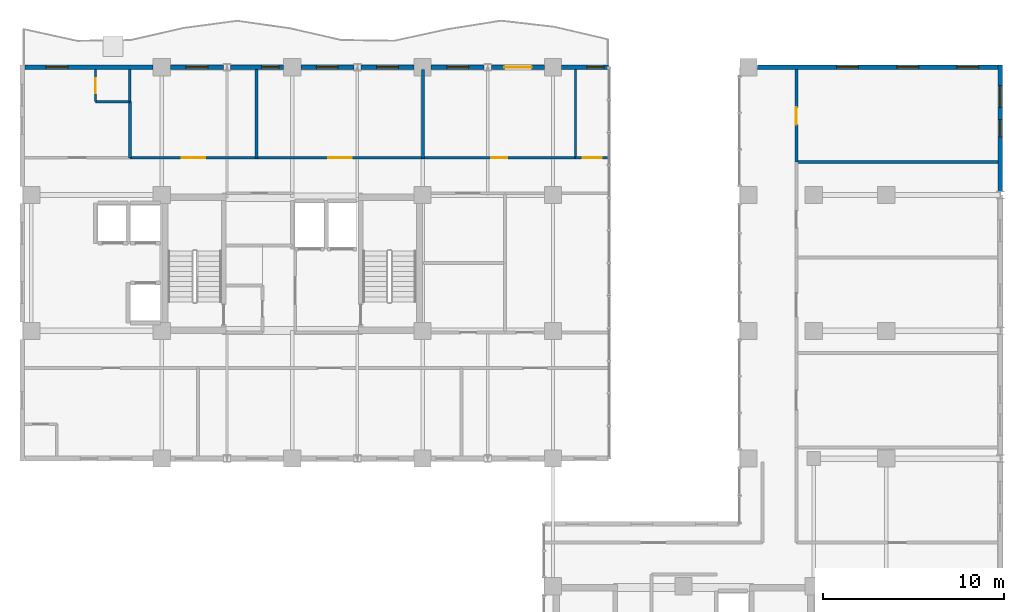
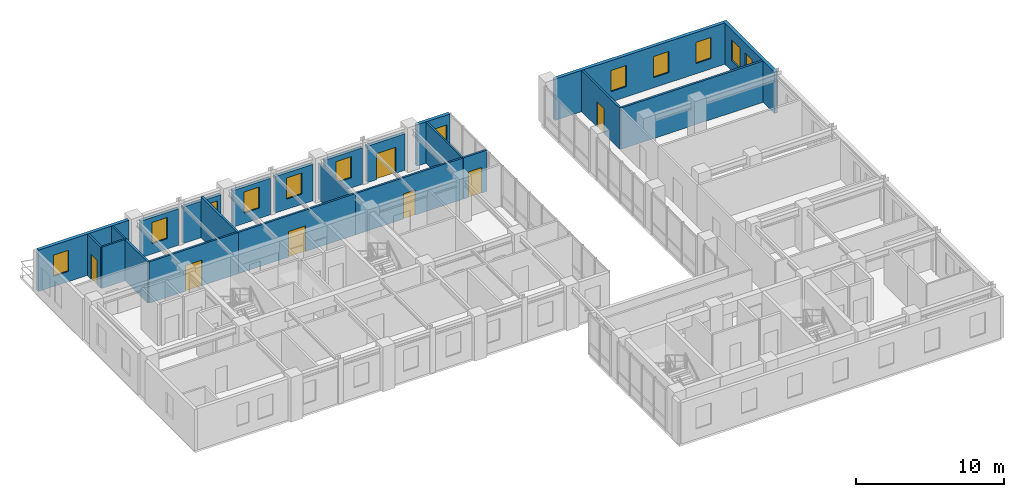
# One storey, part 20 of 24: 23 walls, 12 windows, 7 doors, 19 openings.
"""IFC4 building model written with IfcOpenShell, lengths in metres."""

import ifcopenshell
import ifcopenshell.guid

model = None  # the IFC model being written
_history = None  # IfcOwnerHistory: only IFC2X3 demands one
_inside = {}  # id of a spatial element -> (the spatial element, [elements in it])
_under = {}  # id of a project, library or spatial element -> (it, [spatial elements below it])
_declared = {}  # id of a project -> (the project, [libraries it declares])
_typed = {}  # id of a type object -> (the type object, [elements of that type])
_made_of = {}  # id of a material, layer set ... -> (it, [elements and type objects made of it])


def new_model(schema):
    """Start an empty IFC model of exactly this schema.

    Asked for "IFC4X3", IfcOpenShell would pick the latest addendum, in which some entities
    have other attributes; the version numbers below select the first issue.
    IFC2X3 requires an IfcOwnerHistory on every rooted entity: one is made here for all.
    """
    global model, _history
    if schema == "IFC4X3":
        model = ifcopenshell.file(schema_version=(4, 3, 0, 0))
    else:
        model = ifcopenshell.file(schema=schema)
    _inside.clear()
    _under.clear()
    _declared.clear()
    _typed.clear()
    _made_of.clear()
    _history = None
    if model.schema == "IFC2X3":
        org = make("IfcOrganization", Name="unknown")
        user = make(
            "IfcPersonAndOrganization",
            ThePerson=make("IfcPerson", FamilyName="unknown"),
            TheOrganization=org,
        )
        app = make(
            "IfcApplication",
            ApplicationDeveloper=org,
            Version="unknown",
            ApplicationFullName="unknown",
            ApplicationIdentifier="unknown",
        )
        _history = make(
            "IfcOwnerHistory",
            OwningUser=user,
            OwningApplication=app,
            ChangeAction="ADDED",
            CreationDate=0,
        )
    return model


def make(cls, **values):
    """One entity of the class cls with the attributes given. An attribute that is None is left unset."""
    return model.create_entity(
        cls, **{name: value for name, value in values.items() if value is not None}
    )


def rooted(cls, **values):
    """An entity with a GlobalId (a new one), such as an element, a storey or a relation."""
    return make(cls, GlobalId=ifcopenshell.guid.new(), OwnerHistory=_history, **values)


def si_unit(unit_type, name, prefix=None):
    """IfcSIUnit, for example si_unit("LENGTHUNIT", "METRE", prefix="MILLI")."""
    return make("IfcSIUnit", UnitType=unit_type, Prefix=prefix, Name=name)


def assignment(units):
    """IfcUnitAssignment: the units of a project."""
    return None if units is None else make("IfcUnitAssignment", Units=units)


def point(xyz):
    """IfcCartesianPoint."""
    return None if xyz is None else make("IfcCartesianPoint", Coordinates=xyz)


def direction(xyz):
    """IfcDirection."""
    return None if xyz is None else make("IfcDirection", DirectionRatios=xyz)


def frame(location, z_axis=None, x_axis=None):
    """IfcAxis2Placement3D, a coordinate frame: its origin and axes. An axis left out is left unset."""
    return make(
        "IfcAxis2Placement3D",
        Location=point(location),
        Axis=direction(z_axis),
        RefDirection=direction(x_axis),
    )


def frame_2d(location, x_axis=None):
    """IfcAxis2Placement2D, a coordinate frame in the plane: its origin and x axis."""
    return make(
        "IfcAxis2Placement2D", Location=point(location), RefDirection=direction(x_axis)
    )


def origin():
    """The frame at (0, 0, 0) with its axes left unset."""
    return frame((0.0, 0.0, 0.0))


def place(relative_to, where):
    """IfcLocalPlacement: puts the frame where relative to a parent placement (None: the world)."""
    return make(
        "IfcLocalPlacement", PlacementRelTo=relative_to, RelativePlacement=where
    )


def context(
    kind, dimensions, precision=None, world=None, true_north=None, identifier=None
):
    """IfcGeometricRepresentationContext, for example the 3D "Model" context."""
    return make(
        "IfcGeometricRepresentationContext",
        ContextIdentifier=identifier,
        ContextType=kind,
        CoordinateSpaceDimension=dimensions,
        Precision=precision,
        WorldCoordinateSystem=world,
        TrueNorth=true_north,
    )


def subcontext(parent, identifier, kind, view, scale=None):
    """IfcGeometricRepresentationSubContext, for example "Body" below "Model"."""
    return make(
        "IfcGeometricRepresentationSubContext",
        ContextIdentifier=identifier,
        ContextType=kind,
        ParentContext=parent,
        TargetScale=scale,
        TargetView=view,
    )


def project(units=None, contexts=None):
    """IfcProject with its units and contexts."""
    return rooted(
        "IfcProject",
        Name="project",
        RepresentationContexts=contexts,
        UnitsInContext=assignment(units),
    )


def spatial(cls, under=None, at=None, **own):
    """A site, building, storey or space (cls), placed at a placement, below another one or the project."""
    s = rooted(cls, ObjectPlacement=at, **own)
    if under is not None:
        _under.setdefault(under.id(), (under, []))[1].append(s)
    return s


def profile(cls, at=None, kind="AREA", **sizes):
    """A parametric profile (cls). Its sizes go by their IFC names, for example OverallWidth=200.0."""
    return make(cls, ProfileType=kind, Position=at, **sizes)


def rectangle(**sizes):
    """IfcRectangleProfileDef."""
    return profile("IfcRectangleProfileDef", **sizes)


def extrude(swept, where, along, depth):
    """IfcExtrudedAreaSolid: the profile swept, set in the frame where, extruded along a direction by depth."""
    return make(
        "IfcExtrudedAreaSolid",
        SweptArea=swept,
        Position=where,
        ExtrudedDirection=direction(along),
        Depth=depth,
    )


def shape(context_of_items, identifier, shape_type, items):
    """IfcShapeRepresentation: the items that make up one representation, for example the "Body"."""
    return make(
        "IfcShapeRepresentation",
        ContextOfItems=context_of_items,
        RepresentationIdentifier=identifier,
        RepresentationType=shape_type,
        Items=items,
    )


def material(Name=None, Category=None):
    """IfcMaterial."""
    return make("IfcMaterial", Name=Name, Category=Category)


def layer(
    of_material, thickness, ventilated=None, Name=None, Category=None, Priority=None
):
    """IfcMaterialLayer: one layer of a wall or slab, of a material (None: an air gap)."""
    return make(
        "IfcMaterialLayer",
        Material=of_material,
        LayerThickness=thickness,
        IsVentilated=ventilated,
        Name=Name,
        Category=Category,
        Priority=Priority,
    )


def layer_set(layers, Name=None):
    """IfcMaterialLayerSet."""
    return make("IfcMaterialLayerSet", MaterialLayers=layers, LayerSetName=Name)


def made_of(thing, what):
    """Note that an element or type object is made of a material, layer set ...; save() writes the relation."""
    if what is not None:
        _made_of.setdefault(what.id(), (what, []))[1].append(thing)
    return thing


def type_object(cls, material=None, **own):
    """A type object (cls), such as IfcWallType, which elements share."""
    return made_of(rooted(cls, **own), material)


def element(
    cls,
    number,
    at=None,
    inside=None,
    cuts=None,
    type_object=None,
    material=None,
    context=None,
    identifier="Body",
    shape_type=None,
    held_by="IfcProductDefinitionShape",
    body=None,
    shapes=None,
    **own,
):
    """One element of the class cls, such as IfcWall. Its Tag is "e" and its number.

    at: its placement. inside: the storey or other place that contains it. cuts: it is an
    opening in that element (IfcRelVoidsElement). A single representation is given by context,
    identifier, shape_type and body (its items); several are given by shapes. held_by: the class
    of the entity that holds the representations. save() writes the other relations.
    """
    e = rooted(cls, Tag="e%d" % number, ObjectPlacement=at, **own)
    if body is not None:
        shapes = [shape(context, identifier, shape_type, body)]
    if shapes is not None:
        e.Representation = make(held_by, Representations=shapes)
    if inside is not None:
        _inside.setdefault(inside.id(), (inside, []))[1].append(e)
    if cuts is not None:
        rooted(
            "IfcRelVoidsElement", RelatingBuildingElement=cuts, RelatedOpeningElement=e
        )
    if type_object is not None:
        _typed.setdefault(type_object.id(), (type_object, []))[1].append(e)
    return made_of(e, material)


def fill(opening, filler):
    """IfcRelFillsElement: the door or window that sits in an opening."""
    return rooted(
        "IfcRelFillsElement",
        RelatingOpeningElement=opening,
        RelatedBuildingElement=filler,
    )


def aggregate(whole, parts):
    """IfcRelAggregates: a whole, such as a stair, and the parts it consists of."""
    return rooted("IfcRelAggregates", RelatingObject=whole, RelatedObjects=parts)


def save(model, path):
    """Write the relations noted so far, then the file.

    IfcRelAggregates (storeys below a building ...), IfcRelContainedInSpatialStructure (elements
    in a storey), IfcRelDefinesByType, IfcRelAssociatesMaterial and IfcRelDeclares: one each for
    every whole, place, type object, material and project.
    """
    for whole, parts in _under.values():
        aggregate(whole, parts)
    for where, things in _inside.values():
        rooted(
            "IfcRelContainedInSpatialStructure",
            RelatedElements=things,
            RelatingStructure=where,
        )
    for kind, things in _typed.values():
        rooted("IfcRelDefinesByType", RelatedObjects=things, RelatingType=kind)
    for what, things in _made_of.values():
        rooted("IfcRelAssociatesMaterial", RelatedObjects=things, RelatingMaterial=what)
    for by, libraries in _declared.values():
        rooted("IfcRelDeclares", RelatingContext=by, RelatedDefinitions=libraries)
    model.write(path)


model = new_model("IFC4")

# Units and contexts
model_context = context("Model", 3, precision=1e-05, world=origin(), true_north=direction((0.0, 1.0)))
body_context = subcontext(model_context, "Body", "Model", "MODEL_VIEW")
ifc_project = project(units=[si_unit("LENGTHUNIT", "METRE"), si_unit("AREAUNIT", "SQUARE_METRE"), si_unit("VOLUMEUNIT", "CUBIC_METRE"), si_unit("PLANEANGLEUNIT", "RADIAN"), si_unit("MASSUNIT", "GRAM", prefix="KILO")], contexts=[model_context])

# Site, building, storey
site_placement = place(None, origin())
site = spatial("IfcSite", under=ifc_project, at=site_placement, CompositionType="ELEMENT")
building_placement = place(site_placement, origin())
building = spatial("IfcBuilding", under=site, at=building_placement, Name="Kaliganga Portal Commons", CompositionType="ELEMENT")
storey_placement = place(building_placement, frame((0.0, 0.0, 238.800048828125)))
storey = spatial("IfcBuildingStorey", under=building, at=storey_placement, Name="L61", CompositionType="ELEMENT", Elevation=238.800048828125)

# Wall, opening, window
ifc_material_1 = material(Name="Insulated Aluminium-Clad Spandrel Assembly", Category="aluminium")
ifc_layer_1 = layer(ifc_material_1, 0.260009765625)
ifc_layer_set_1 = layer_set([ifc_layer_1], Name="Insulated Aluminium-Clad Spandrel Assembly")
wall_type_1 = type_object("IfcWallType", Name="WL-EXT-SPAND-260", PredefinedType="STANDARD", material=ifc_layer_set_1)
wall_1_placement = place(storey_placement, frame((36.47607421875, 43.199951171875, 0.0), z_axis=(0.0, 0.0, 1.0), x_axis=(1.0, 0.0, 0.0)))
wall_1 = element("IfcWall", 1, at=wall_1_placement, inside=storey, type_object=wall_type_1, Name="Exterior Envelope Wall L61 P1-E02-S1", PredefinedType="STANDARD", context=body_context, shape_type="SweptSolid", body=[
    extrude(rectangle(XDim=2.5869140625, YDim=0.260009765625, at=frame_2d((1.29345703125, 0.0))), origin(), (0.0, 0.0, 1.0), 3.419921875),
])
opening_1_placement = place(wall_1_placement, frame((1.3876953125, 0.0, 0.85009765625)))
opening_1 = element("IfcOpeningElement", 2, at=opening_1_placement, cuts=wall_1, Name="Opening W-04", PredefinedType="OPENING", context=body_context, shape_type="SweptSolid", body=[
    extrude(rectangle(XDim=0.949951171875, YDim=1.75, at=frame_2d((0.47509765625, 0.875))), frame((0.0, 0.14013671875, 0.0), z_axis=(0.0, -1.0, 0.0), x_axis=(1.0, 0.0, 0.0)), (0.0, 0.0, 1.0), 0.280029296875),
])
ifc_material_2 = material(Name="Thermally Broken Aluminium and Low-E Double Glazing", Category="aluminium")
window_type_1 = type_object("IfcWindowType", Name="WIN-NARROW-950", PartitioningType="SINGLE_PANEL", PredefinedType="WINDOW", material=ifc_material_2)
window_1_placement = place(opening_1_placement, origin())
window_1 = element("IfcWindow", 3, at=window_1_placement, inside=storey, type_object=window_type_1, Name="Facade Window L61-P1E02S1-N4", OverallHeight=1.75, OverallWidth=0.949951171875, PartitioningType="SINGLE_PANEL", PredefinedType="WINDOW", context=body_context, shape_type="SweptSolid", body=[
    extrude(rectangle(XDim=0.949951171875, YDim=1.75, at=frame_2d((0.47509765625, 0.875))), frame((0.0, 0.030029296875, 0.0), z_axis=(0.0, -1.0, 0.0), x_axis=(1.0, 0.0, 0.0)), (0.0, 0.0, 1.0), 0.06005859375),
])
fill(opening_1, window_1)

# Wall, opening, door
wall_2_placement = place(storey_placement, frame((32.6005859375, 43.199951171875, 0.0), z_axis=(0.0, 0.0, 1.0), x_axis=(1.0, 0.0, 0.0)))
wall_2 = element("IfcWall", 4, at=wall_2_placement, inside=storey, type_object=wall_type_1, Name="Exterior Envelope Wall L61 P1-E02-S2", PredefinedType="STANDARD", context=body_context, shape_type="SweptSolid", body=[
    extrude(rectangle(XDim=2.92333984375, YDim=0.260009765625, at=frame_2d((1.461669921875, 0.0))), origin(), (0.0, 0.0, 1.0), 3.02001953125),
])
opening_2_placement = place(wall_2_placement, frame((0.7119140625, 0.0, 0.0)))
opening_2 = element("IfcOpeningElement", 5, at=opening_2_placement, cuts=wall_2, Name="Opening BD-01", PredefinedType="OPENING", context=body_context, shape_type="SweptSolid", body=[
    extrude(rectangle(XDim=1.5, YDim=2.14990234375, at=frame_2d((0.75, 1.074951171875))), frame((0.0, 0.14013671875, 0.0), z_axis=(0.0, -1.0, 0.0), x_axis=(1.0, 0.0, 0.0)), (0.0, 0.0, 1.0), 0.280029296875),
])
ifc_material_3 = material(Name="Anodized Aluminium and Laminated Safety Glass", Category="aluminium")
door_type_1 = type_object("IfcDoorType", Name="DR-BALC-1500", OperationType="SLIDING_TO_LEFT", PredefinedType="DOOR", material=ifc_material_3)
door_1_placement = place(opening_2_placement, origin())
door_1 = element("IfcDoor", 6, at=door_1_placement, inside=storey, type_object=door_type_1, Name="Balcony Sliding Door L61 balc_north", OperationType="SLIDING_TO_LEFT", OverallHeight=2.14990234375, OverallWidth=1.5, PredefinedType="DOOR", context=body_context, shape_type="SweptSolid", body=[
    extrude(rectangle(XDim=1.5, YDim=2.14990234375, at=frame_2d((0.75, 1.074951171875))), frame((0.0, 0.02490234375, 0.0), z_axis=(0.0, -1.0, 0.0), x_axis=(1.0, 0.0, 0.0)), (0.0, 0.0, 1.0), 0.050048828125),
])
fill(opening_2, door_1)

# Wall, opening, window
wall_3_placement = place(storey_placement, frame((29.27587890625, 43.199951171875, 0.0), z_axis=(0.0, 0.0, 1.0), x_axis=(1.0, 0.0, 0.0)))
wall_3 = element("IfcWall", 7, at=wall_3_placement, inside=storey, type_object=wall_type_1, Name="Exterior Envelope Wall L61 P1-E02-S3", PredefinedType="STANDARD", context=body_context, shape_type="SweptSolid", body=[
    extrude(rectangle(XDim=2.923583984375, YDim=0.260009765625, at=frame_2d((1.4619140625, 0.0))), origin(), (0.0, 0.0, 1.0), 3.02001953125),
])
opening_3_placement = place(wall_3_placement, frame((0.86181640625, 0.0, 0.85009765625)))
opening_3 = element("IfcOpeningElement", 8, at=opening_3_placement, cuts=wall_3, Name="Opening W-03", PredefinedType="OPENING", context=body_context, shape_type="SweptSolid", body=[
    extrude(rectangle(XDim=1.199951171875, YDim=1.75, at=frame_2d((0.60009765625, 0.875))), frame((0.0, 0.14013671875, 0.0), z_axis=(0.0, -1.0, 0.0), x_axis=(1.0, 0.0, 0.0)), (0.0, 0.0, 1.0), 0.280029296875),
])
window_type_2 = type_object("IfcWindowType", Name="WIN-STD-1200", PartitioningType="SINGLE_PANEL", PredefinedType="WINDOW", material=ifc_material_2)
window_2_placement = place(opening_3_placement, origin())
window_2 = element("IfcWindow", 9, at=window_2_placement, inside=storey, type_object=window_type_2, Name="Facade Window L61-P1E02S3-00", OverallHeight=1.75, OverallWidth=1.199951171875, PartitioningType="SINGLE_PANEL", PredefinedType="WINDOW", context=body_context, shape_type="SweptSolid", body=[
    extrude(rectangle(XDim=1.199951171875, YDim=1.75, at=frame_2d((0.60009765625, 0.875))), frame((0.0, 0.030029296875, 0.0), z_axis=(0.0, -1.0, 0.0), x_axis=(1.0, 0.0, 0.0)), (0.0, 0.0, 1.0), 0.06005859375),
])
fill(opening_3, window_2)

wall_4_placement = place(storey_placement, frame((25.400390625, 43.199951171875, 0.0), z_axis=(0.0, 0.0, 1.0), x_axis=(1.0, 0.0, 0.0)))
wall_4 = element("IfcWall", 10, at=wall_4_placement, inside=storey, type_object=wall_type_1, Name="Exterior Envelope Wall L61 P1-E02-S4", PredefinedType="STANDARD", context=body_context, shape_type="SweptSolid", body=[
    extrude(rectangle(XDim=2.923583984375, YDim=0.260009765625, at=frame_2d((1.4619140625, 0.0))), origin(), (0.0, 0.0, 1.0), 3.02001953125),
])
opening_4_placement = place(wall_4_placement, frame((0.86181640625, 0.0, 0.85009765625)))
opening_4 = element("IfcOpeningElement", 11, at=opening_4_placement, cuts=wall_4, Name="Opening W-03", PredefinedType="OPENING", context=body_context, shape_type="SweptSolid", body=[
    extrude(rectangle(XDim=1.199951171875, YDim=1.75, at=frame_2d((0.60009765625, 0.875))), frame((0.0, 0.14013671875, 0.0), z_axis=(0.0, -1.0, 0.0), x_axis=(1.0, 0.0, 0.0)), (0.0, 0.0, 1.0), 0.280029296875),
])
window_3_placement = place(opening_4_placement, origin())
window_3 = element("IfcWindow", 12, at=window_3_placement, inside=storey, type_object=window_type_2, Name="Facade Window L61-P1E02S4-00", OverallHeight=1.75, OverallWidth=1.199951171875, PartitioningType="SINGLE_PANEL", PredefinedType="WINDOW", context=body_context, shape_type="SweptSolid", body=[
    extrude(rectangle(XDim=1.199951171875, YDim=1.75, at=frame_2d((0.60009765625, 0.875))), frame((0.0, 0.030029296875, 0.0), z_axis=(0.0, -1.0, 0.0), x_axis=(1.0, 0.0, 0.0)), (0.0, 0.0, 1.0), 0.06005859375),
])
fill(opening_4, window_3)

wall_5_placement = place(storey_placement, frame((22.075927734375, 43.199951171875, 0.0), z_axis=(0.0, 0.0, 1.0), x_axis=(1.0, 0.0, 0.0)))
wall_5 = element("IfcWall", 13, at=wall_5_placement, inside=storey, type_object=wall_type_1, Name="Exterior Envelope Wall L61 P1-E02-S5", PredefinedType="STANDARD", context=body_context, shape_type="SweptSolid", body=[
    extrude(rectangle(XDim=2.923583984375, YDim=0.260009765625, at=frame_2d((1.4619140625, 0.0))), origin(), (0.0, 0.0, 1.0), 3.02001953125),
])
opening_5_placement = place(wall_5_placement, frame((0.86181640625, 0.0, 0.85009765625)))
opening_5 = element("IfcOpeningElement", 14, at=opening_5_placement, cuts=wall_5, Name="Opening W-03", PredefinedType="OPENING", context=body_context, shape_type="SweptSolid", body=[
    extrude(rectangle(XDim=1.199951171875, YDim=1.75, at=frame_2d((0.60009765625, 0.875))), frame((0.0, 0.14013671875, 0.0), z_axis=(0.0, -1.0, 0.0), x_axis=(1.0, 0.0, 0.0)), (0.0, 0.0, 1.0), 0.280029296875),
])
window_4_placement = place(opening_5_placement, origin())
window_4 = element("IfcWindow", 15, at=window_4_placement, inside=storey, type_object=window_type_2, Name="Facade Window L61-P1E02S5-00", OverallHeight=1.75, OverallWidth=1.199951171875, PartitioningType="SINGLE_PANEL", PredefinedType="WINDOW", context=body_context, shape_type="SweptSolid", body=[
    extrude(rectangle(XDim=1.199951171875, YDim=1.75, at=frame_2d((0.60009765625, 0.875))), frame((0.0, 0.030029296875, 0.0), z_axis=(0.0, -1.0, 0.0), x_axis=(1.0, 0.0, 0.0)), (0.0, 0.0, 1.0), 0.06005859375),
])
fill(opening_5, window_4)

wall_6_placement = place(storey_placement, frame((18.200439453125, 43.199951171875, 0.0), z_axis=(0.0, 0.0, 1.0), x_axis=(1.0, 0.0, 0.0)))
wall_6 = element("IfcWall", 16, at=wall_6_placement, inside=storey, type_object=wall_type_1, Name="Exterior Envelope Wall L61 P1-E02-S6", PredefinedType="STANDARD", context=body_context, shape_type="SweptSolid", body=[
    extrude(rectangle(XDim=2.923583984375, YDim=0.260009765625, at=frame_2d((1.4619140625, 0.0))), origin(), (0.0, 0.0, 1.0), 3.02001953125),
])
opening_6_placement = place(wall_6_placement, frame((1.7119140625, 0.0, 0.85009765625)))
opening_6 = element("IfcOpeningElement", 17, at=opening_6_placement, cuts=wall_6, Name="Opening W-04", PredefinedType="OPENING", context=body_context, shape_type="SweptSolid", body=[
    extrude(rectangle(XDim=0.949951171875, YDim=1.75, at=frame_2d((0.47509765625, 0.875))), frame((0.0, 0.14013671875, 0.0), z_axis=(0.0, -1.0, 0.0), x_axis=(1.0, 0.0, 0.0)), (0.0, 0.0, 1.0), 0.280029296875),
])
window_5_placement = place(opening_6_placement, origin())
window_5 = element("IfcWindow", 18, at=window_5_placement, inside=storey, type_object=window_type_1, Name="Facade Window L61-P1E02S6-N2", OverallHeight=1.75, OverallWidth=0.949951171875, PartitioningType="SINGLE_PANEL", PredefinedType="WINDOW", context=body_context, shape_type="SweptSolid", body=[
    extrude(rectangle(XDim=0.949951171875, YDim=1.75, at=frame_2d((0.47509765625, 0.875))), frame((0.0, 0.030029296875, 0.0), z_axis=(0.0, -1.0, 0.0), x_axis=(1.0, 0.0, 0.0)), (0.0, 0.0, 1.0), 0.06005859375),
])
fill(opening_6, window_5)

wall_7_placement = place(storey_placement, frame((14.8759765625, 43.199951171875, 0.0), z_axis=(0.0, 0.0, 1.0), x_axis=(1.0, 0.0, 0.0)))
wall_7 = element("IfcWall", 19, at=wall_7_placement, inside=storey, type_object=wall_type_1, Name="Exterior Envelope Wall L61 P1-E02-S7", PredefinedType="STANDARD", context=body_context, shape_type="SweptSolid", body=[
    extrude(rectangle(XDim=2.923583984375, YDim=0.260009765625, at=frame_2d((1.4619140625, 0.0))), origin(), (0.0, 0.0, 1.0), 3.02001953125),
])
opening_7_placement = place(wall_7_placement, frame((0.86181640625, 0.0, 0.85009765625)))
opening_7 = element("IfcOpeningElement", 20, at=opening_7_placement, cuts=wall_7, Name="Opening W-03", PredefinedType="OPENING", context=body_context, shape_type="SweptSolid", body=[
    extrude(rectangle(XDim=1.199951171875, YDim=1.75, at=frame_2d((0.60009765625, 0.875))), frame((0.0, 0.14013671875, 0.0), z_axis=(0.0, -1.0, 0.0), x_axis=(1.0, 0.0, 0.0)), (0.0, 0.0, 1.0), 0.280029296875),
])
window_6_placement = place(opening_7_placement, origin())
window_6 = element("IfcWindow", 21, at=window_6_placement, inside=storey, type_object=window_type_2, Name="Facade Window L61-P1E02S7-00", OverallHeight=1.75, OverallWidth=1.199951171875, PartitioningType="SINGLE_PANEL", PredefinedType="WINDOW", context=body_context, shape_type="SweptSolid", body=[
    extrude(rectangle(XDim=1.199951171875, YDim=1.75, at=frame_2d((0.60009765625, 0.875))), frame((0.0, 0.030029296875, 0.0), z_axis=(0.0, -1.0, 0.0), x_axis=(1.0, 0.0, 0.0)), (0.0, 0.0, 1.0), 0.06005859375),
])
fill(opening_7, window_6)

wall_8_placement = place(storey_placement, frame((6.8349609375, 43.199951171875, 0.0), z_axis=(0.0, 0.0, 1.0), x_axis=(1.0, 0.0, 0.0)))
wall_8 = element("IfcWall", 22, at=wall_8_placement, inside=storey, type_object=wall_type_1, Name="Exterior Envelope Wall L61 P1-E02-S8", PredefinedType="STANDARD", context=body_context, shape_type="SweptSolid", body=[
    extrude(rectangle(XDim=7.089111328125, YDim=0.260009765625, at=frame_2d((3.54443359375, 0.0))), origin(), (0.0, 0.0, 1.0), 3.419921875),
])
opening_8_placement = place(wall_8_placement, frame((1.17236328125, 0.0, 0.85009765625)))
opening_8 = element("IfcOpeningElement", 23, at=opening_8_placement, cuts=wall_8, Name="Opening W-03", PredefinedType="OPENING", context=body_context, shape_type="SweptSolid", body=[
    extrude(rectangle(XDim=1.199951171875, YDim=1.75, at=frame_2d((0.60009765625, 0.875))), frame((0.0, 0.14013671875, 0.0), z_axis=(0.0, -1.0, 0.0), x_axis=(1.0, 0.0, 0.0)), (0.0, 0.0, 1.0), 0.280029296875),
])
window_7_placement = place(opening_8_placement, origin())
window_7 = element("IfcWindow", 24, at=window_7_placement, inside=storey, type_object=window_type_2, Name="Facade Window L61-P1E02S8-00", OverallHeight=1.75, OverallWidth=1.199951171875, PartitioningType="SINGLE_PANEL", PredefinedType="WINDOW", context=body_context, shape_type="SweptSolid", body=[
    extrude(rectangle(XDim=1.199951171875, YDim=1.75, at=frame_2d((0.60009765625, 0.875))), frame((0.0, 0.030029296875, 0.0), z_axis=(0.0, -1.0, 0.0), x_axis=(1.0, 0.0, 0.0)), (0.0, 0.0, 1.0), 0.06005859375),
])
fill(opening_8, window_7)

# Wall, openings, windows
wall_9_placement = place(storey_placement, frame((60.699951171875, 43.330078125, 0.0), z_axis=(0.0, 0.0, 1.0), x_axis=(0.0, -1.0, 0.0)))
wall_9 = element("IfcWall", 25, at=wall_9_placement, inside=storey, type_object=wall_type_1, Name="Exterior Envelope Wall L61 P2-E01-S6", PredefinedType="STANDARD", context=body_context, shape_type="SweptSolid", body=[
    extrude(rectangle(XDim=6.97900390625, YDim=0.260009765625, at=frame_2d((3.489501953125, 0.0))), origin(), (0.0, 0.0, 1.0), 3.419921875),
])
opening_9_placement = place(wall_9_placement, frame((1.144775390625, 0.0, 0.85009765625)))
opening_9 = element("IfcOpeningElement", 26, at=opening_9_placement, cuts=wall_9, Name="Opening W-03", PredefinedType="OPENING", context=body_context, shape_type="SweptSolid", body=[
    extrude(rectangle(XDim=1.199951171875, YDim=1.75, at=frame_2d((0.60009765625, 0.875))), frame((0.0, 0.14013671875, 0.0), z_axis=(0.0, -1.0, 0.0), x_axis=(1.0, 0.0, 0.0)), (0.0, 0.0, 1.0), 0.280029296875),
])
opening_10_placement = place(wall_9_placement, frame((3.014404296875, 0.0, 0.85009765625)))
opening_10 = element("IfcOpeningElement", 27, at=opening_10_placement, cuts=wall_9, Name="Opening W-04", PredefinedType="OPENING", context=body_context, shape_type="SweptSolid", body=[
    extrude(rectangle(XDim=0.949951171875, YDim=1.75, at=frame_2d((0.47509765625, 0.875))), frame((0.0, 0.14013671875, 0.0), z_axis=(0.0, -1.0, 0.0), x_axis=(1.0, 0.0, 0.0)), (0.0, 0.0, 1.0), 0.280029296875),
])
window_8_placement = place(opening_10_placement, origin())
window_8 = element("IfcWindow", 28, at=window_8_placement, inside=storey, type_object=window_type_1, Name="Facade Window L61-P2E01S6-N0", OverallHeight=1.75, OverallWidth=0.949951171875, PartitioningType="SINGLE_PANEL", PredefinedType="WINDOW", context=body_context, shape_type="SweptSolid", body=[
    extrude(rectangle(XDim=0.949951171875, YDim=1.75, at=frame_2d((0.47509765625, 0.875))), frame((0.0, 0.030029296875, 0.0), z_axis=(0.0, -1.0, 0.0), x_axis=(1.0, 0.0, 0.0)), (0.0, 0.0, 1.0), 0.06005859375),
])
fill(opening_10, window_8)
window_9_placement = place(opening_9_placement, origin())
window_9 = element("IfcWindow", 29, at=window_9_placement, inside=storey, type_object=window_type_2, Name="Facade Window L61-P2E01S6-00", OverallHeight=1.75, OverallWidth=1.199951171875, PartitioningType="SINGLE_PANEL", PredefinedType="WINDOW", context=body_context, shape_type="SweptSolid", body=[
    extrude(rectangle(XDim=1.199951171875, YDim=1.75, at=frame_2d((0.60009765625, 0.875))), frame((0.0, 0.030029296875, 0.0), z_axis=(0.0, -1.0, 0.0), x_axis=(1.0, 0.0, 0.0)), (0.0, 0.0, 1.0), 0.06005859375),
])
fill(opening_9, window_9)

wall_10_placement = place(storey_placement, frame((47.27587890625, 43.199951171875, 0.0), z_axis=(0.0, 0.0, 1.0), x_axis=(1.0, 0.0, 0.0)))
wall_10 = element("IfcWall", 30, at=wall_10_placement, inside=storey, type_object=wall_type_1, Name="Exterior Envelope Wall L61 P2-E02-S1", PredefinedType="STANDARD", context=body_context, shape_type="SweptSolid", body=[
    extrude(rectangle(XDim=13.2890625, YDim=0.260009765625, at=frame_2d((6.64453125, 0.0))), origin(), (0.0, 0.0, 1.0), 3.419921875),
])
opening_11_placement = place(wall_10_placement, frame((4.38330078125, 0.0, 0.85009765625)))
opening_11 = element("IfcOpeningElement", 31, at=opening_11_placement, cuts=wall_10, Name="Opening W-03", PredefinedType="OPENING", context=body_context, shape_type="SweptSolid", body=[
    extrude(rectangle(XDim=1.199951171875, YDim=1.75, at=frame_2d((0.60009765625, 0.875))), frame((0.0, 0.14013671875, 0.0), z_axis=(0.0, -1.0, 0.0), x_axis=(1.0, 0.0, 0.0)), (0.0, 0.0, 1.0), 0.280029296875),
])
opening_12_placement = place(wall_10_placement, frame((7.70556640625, 0.0, 0.85009765625)))
opening_12 = element("IfcOpeningElement", 32, at=opening_12_placement, cuts=wall_10, Name="Opening W-03", PredefinedType="OPENING", context=body_context, shape_type="SweptSolid", body=[
    extrude(rectangle(XDim=1.199951171875, YDim=1.75, at=frame_2d((0.60009765625, 0.875))), frame((0.0, 0.14013671875, 0.0), z_axis=(0.0, -1.0, 0.0), x_axis=(1.0, 0.0, 0.0)), (0.0, 0.0, 1.0), 0.280029296875),
])
opening_13_placement = place(wall_10_placement, frame((11.02783203125, 0.0, 0.85009765625)))
opening_13 = element("IfcOpeningElement", 33, at=opening_13_placement, cuts=wall_10, Name="Opening W-03", PredefinedType="OPENING", context=body_context, shape_type="SweptSolid", body=[
    extrude(rectangle(XDim=1.199951171875, YDim=1.75, at=frame_2d((0.60009765625, 0.875))), frame((0.0, 0.14013671875, 0.0), z_axis=(0.0, -1.0, 0.0), x_axis=(1.0, 0.0, 0.0)), (0.0, 0.0, 1.0), 0.280029296875),
])
window_10_placement = place(opening_11_placement, origin())
window_10 = element("IfcWindow", 34, at=window_10_placement, inside=storey, type_object=window_type_2, Name="Facade Window L61-P2E02S1-01", OverallHeight=1.75, OverallWidth=1.199951171875, PartitioningType="SINGLE_PANEL", PredefinedType="WINDOW", context=body_context, shape_type="SweptSolid", body=[
    extrude(rectangle(XDim=1.199951171875, YDim=1.75, at=frame_2d((0.60009765625, 0.875))), frame((0.0, 0.030029296875, 0.0), z_axis=(0.0, -1.0, 0.0), x_axis=(1.0, 0.0, 0.0)), (0.0, 0.0, 1.0), 0.06005859375),
])
fill(opening_11, window_10)
window_11_placement = place(opening_12_placement, origin())
window_11 = element("IfcWindow", 35, at=window_11_placement, inside=storey, type_object=window_type_2, Name="Facade Window L61-P2E02S1-02", OverallHeight=1.75, OverallWidth=1.199951171875, PartitioningType="SINGLE_PANEL", PredefinedType="WINDOW", context=body_context, shape_type="SweptSolid", body=[
    extrude(rectangle(XDim=1.199951171875, YDim=1.75, at=frame_2d((0.60009765625, 0.875))), frame((0.0, 0.030029296875, 0.0), z_axis=(0.0, -1.0, 0.0), x_axis=(1.0, 0.0, 0.0)), (0.0, 0.0, 1.0), 0.06005859375),
])
fill(opening_12, window_11)
window_12_placement = place(opening_13_placement, origin())
window_12 = element("IfcWindow", 36, at=window_12_placement, inside=storey, type_object=window_type_2, Name="Facade Window L61-P2E02S1-03", OverallHeight=1.75, OverallWidth=1.199951171875, PartitioningType="SINGLE_PANEL", PredefinedType="WINDOW", context=body_context, shape_type="SweptSolid", body=[
    extrude(rectangle(XDim=1.199951171875, YDim=1.75, at=frame_2d((0.60009765625, 0.875))), frame((0.0, 0.030029296875, 0.0), z_axis=(0.0, -1.0, 0.0), x_axis=(1.0, 0.0, 0.0)), (0.0, 0.0, 1.0), 0.06005859375),
])
fill(opening_13, window_12)

# Wall, opening, door
ifc_material_4 = material(Name="Fire-Rated Gypsum Board on Steel Stud", Category="steel")
ifc_layer_2 = layer(ifc_material_4, 0.14990234375)
ifc_layer_set_2 = layer_set([ifc_layer_2], Name="Fire-Rated Gypsum Board on Steel Stud")
wall_type_2 = type_object("IfcWallType", Name="WL-PART-CORR-150", PredefinedType="PARTITIONING", material=ifc_layer_set_2)
wall_11_placement = place(storey_placement, frame((19.639892578125, 38.199951171875, 0.0), z_axis=(0.0, 0.0, 1.0), x_axis=(1.0, 0.0, 0.0)))
wall_11 = element("IfcWall", 37, at=wall_11_placement, inside=storey, type_object=wall_type_2, Name="Interior Partition L61-010", PredefinedType="PARTITIONING", context=body_context, shape_type="SweptSolid", body=[
    extrude(rectangle(XDim=9.18017578125, YDim=0.14990234375, at=frame_2d((4.590087890625, 0.0))), origin(), (0.0, 0.0, 1.0), 3.419921875),
])
opening_14_placement = place(wall_11_placement, frame((3.93994140625, 0.0, 0.0)))
opening_14 = element("IfcOpeningElement", 38, at=opening_14_placement, cuts=wall_11, Name="Opening RD-03", PredefinedType="OPENING", context=body_context, shape_type="SweptSolid", body=[
    extrude(rectangle(XDim=1.300048828125, YDim=2.1201171875, at=frame_2d((0.64990234375, 1.06005859375))), frame((0.0, 0.0849609375, 0.0), z_axis=(0.0, -1.0, 0.0), x_axis=(1.0, 0.0, 0.0)), (0.0, 0.0, 1.0), 0.169921875),
])
ifc_material_5 = material(Name="Glazed Timber Seminar Vision Door", Category="wood")
door_type_2 = type_object("IfcDoorType", Name="DR-STUDY-1300", OperationType="DOUBLE_DOOR_SINGLE_SWING", PredefinedType="DOOR", material=ifc_material_5)
door_2_placement = place(opening_14_placement, origin())
door_2 = element("IfcDoor", 39, at=door_2_placement, inside=storey, type_object=door_type_2, Name="Interior Door L61-AN03", OperationType="DOUBLE_DOOR_SINGLE_SWING", OverallHeight=2.1201171875, OverallWidth=1.300048828125, PredefinedType="DOOR", context=body_context, shape_type="SweptSolid", body=[
    extrude(rectangle(XDim=1.300048828125, YDim=2.1201171875, at=frame_2d((0.64990234375, 1.06005859375))), frame((0.0, 0.02490234375, 0.0), z_axis=(0.0, -1.0, 0.0), x_axis=(1.0, 0.0, 0.0)), (0.0, 0.0, 1.0), 0.050048828125),
])
fill(opening_14, door_2)

wall_12_placement = place(storey_placement, frame((28.820068359375, 38.199951171875, 0.0), z_axis=(0.0, 0.0, 1.0), x_axis=(1.0, 0.0, 0.0)))
wall_12 = element("IfcWall", 40, at=wall_12_placement, inside=storey, type_object=wall_type_2, Name="Interior Partition L61-011", PredefinedType="PARTITIONING", context=body_context, shape_type="SweptSolid", body=[
    extrude(rectangle(XDim=8.419921875, YDim=0.14990234375, at=frame_2d((4.2099609375, 0.0))), origin(), (0.0, 0.0, 1.0), 3.419921875),
])
opening_15_placement = place(wall_12_placement, frame((3.760009765625, 0.0, 0.0)))
opening_15 = element("IfcOpeningElement", 41, at=opening_15_placement, cuts=wall_12, Name="Opening RD-01", PredefinedType="OPENING", context=body_context, shape_type="SweptSolid", body=[
    extrude(rectangle(XDim=0.89990234375, YDim=2.080078125, at=frame_2d((0.449951171875, 1.0400390625))), frame((0.0, 0.0849609375, 0.0), z_axis=(0.0, -1.0, 0.0), x_axis=(1.0, 0.0, 0.0)), (0.0, 0.0, 1.0), 0.169921875),
])
ifc_material_6 = material(Name="Engineered Timber Flush Door", Category="wood")
door_type_3 = type_object("IfcDoorType", Name="DR-ROOM-900", OperationType="NOTDEFINED", PredefinedType="DOOR", material=ifc_material_6)
door_3_placement = place(opening_15_placement, origin())
door_3 = element("IfcDoor", 42, at=door_3_placement, inside=storey, type_object=door_type_3, Name="Interior Door L61-AN04", OperationType="SINGLE_SWING_RIGHT", OverallHeight=2.080078125, OverallWidth=0.89990234375, PredefinedType="DOOR", context=body_context, shape_type="SweptSolid", body=[
    extrude(rectangle(XDim=0.89990234375, YDim=2.080078125, at=frame_2d((0.449951171875, 1.0400390625))), frame((0.0, 0.02490234375, 0.0), z_axis=(0.0, -1.0, 0.0), x_axis=(1.0, 0.0, 0.0)), (0.0, 0.0, 1.0), 0.050048828125),
])
fill(opening_15, door_3)

wall_13_placement = place(storey_placement, frame((12.639892578125, 38.199951171875, 0.0), z_axis=(0.0, 0.0, 1.0), x_axis=(1.0, 0.0, 0.0)))
wall_13 = element("IfcWall", 43, at=wall_13_placement, inside=storey, type_object=wall_type_2, Name="Interior Partition L61-013", PredefinedType="PARTITIONING", context=body_context, shape_type="SweptSolid", body=[
    extrude(rectangle(XDim=7.0, YDim=0.14990234375, at=frame_2d((3.5, 0.0))), origin(), (0.0, 0.0, 1.0), 3.419921875),
])
opening_16_placement = place(wall_13_placement, frame((2.85009765625, 0.0, 0.0)))
opening_16 = element("IfcOpeningElement", 44, at=opening_16_placement, cuts=wall_13, Name="Opening RD-03", PredefinedType="OPENING", context=body_context, shape_type="SweptSolid", body=[
    extrude(rectangle(XDim=1.300048828125, YDim=2.1201171875, at=frame_2d((0.64990234375, 1.06005859375))), frame((0.0, 0.0849609375, 0.0), z_axis=(0.0, -1.0, 0.0), x_axis=(1.0, 0.0, 0.0)), (0.0, 0.0, 1.0), 0.169921875),
])
door_4_placement = place(opening_16_placement, origin())
door_4 = element("IfcDoor", 45, at=door_4_placement, inside=storey, type_object=door_type_2, Name="Interior Door L61-AN02", OperationType="DOUBLE_DOOR_SINGLE_SWING", OverallHeight=2.1201171875, OverallWidth=1.300048828125, PredefinedType="DOOR", context=body_context, shape_type="SweptSolid", body=[
    extrude(rectangle(XDim=1.300048828125, YDim=2.1201171875, at=frame_2d((0.64990234375, 1.06005859375))), frame((0.0, 0.02490234375, 0.0), z_axis=(0.0, -1.0, 0.0), x_axis=(1.0, 0.0, 0.0)), (0.0, 0.0, 1.0), 0.050048828125),
])
fill(opening_16, door_4)

wall_14_placement = place(storey_placement, frame((49.43994140625, 37.9599609375, 0.0), z_axis=(0.0, 0.0, 1.0), x_axis=(0.0, 1.0, 0.0)))
wall_14 = element("IfcWall", 46, at=wall_14_placement, inside=storey, type_object=wall_type_2, Name="Interior Partition L61-022", PredefinedType="PARTITIONING", context=body_context, shape_type="SweptSolid", body=[
    extrude(rectangle(XDim=5.108154296875, YDim=0.14990234375, at=frame_2d((2.55419921875, 0.0))), origin(), (0.0, 0.0, 1.0), 3.419921875),
])
opening_17_placement = place(wall_14_placement, frame((2.0791015625, 0.0, 0.0)))
opening_17 = element("IfcOpeningElement", 47, at=opening_17_placement, cuts=wall_14, Name="Opening UD-01", PredefinedType="OPENING", context=body_context, shape_type="SweptSolid", body=[
    extrude(rectangle(XDim=0.949951171875, YDim=2.10009765625, at=frame_2d((0.47509765625, 1.050048828125))), frame((0.0, 0.0849609375, 0.0), z_axis=(0.0, -1.0, 0.0), x_axis=(1.0, 0.0, 0.0)), (0.0, 0.0, 1.0), 0.169921875),
])
ifc_material_7 = material(Name="Solid-Core Timber Acoustic Fire Door", Category="wood")
door_type_4 = type_object("IfcDoorType", Name="DR-UNIT-950", OperationType="NOTDEFINED", PredefinedType="DOOR", material=ifc_material_7)
door_5_placement = place(opening_17_placement, origin())
door_5 = element("IfcDoor", 48, at=door_5_placement, inside=storey, type_object=door_type_4, Name="Interior Door L61-BP05", OperationType="SINGLE_SWING_RIGHT", OverallHeight=2.10009765625, OverallWidth=0.949951171875, PredefinedType="DOOR", context=body_context, shape_type="SweptSolid", body=[
    extrude(rectangle(XDim=0.949951171875, YDim=2.10009765625, at=frame_2d((0.47509765625, 1.050048828125))), frame((0.0, 0.02490234375, 0.0), z_axis=(0.0, -1.0, 0.0), x_axis=(1.0, 0.0, 0.0)), (0.0, 0.0, 1.0), 0.050048828125),
])
fill(opening_17, door_5)

wall_15_placement = place(storey_placement, frame((37.239990234375, 38.199951171875, 0.0), z_axis=(0.0, 0.0, 1.0), x_axis=(1.0, 0.0, 0.0)))
wall_15 = element("IfcWall", 49, at=wall_15_placement, inside=storey, type_object=wall_type_2, Name="Interior Partition L61-038", PredefinedType="PARTITIONING", context=body_context, shape_type="SweptSolid", body=[
    extrude(rectangle(XDim=1.840087890625, YDim=0.14990234375, at=frame_2d((0.919921875, 0.0))), origin(), (0.0, 0.0, 1.0), 3.419921875),
])
opening_18_placement = place(wall_15_placement, frame((0.39501953125, 0.0, 0.0)))
opening_18 = element("IfcOpeningElement", 50, at=opening_18_placement, cuts=wall_15, Name="Opening UD-02", PredefinedType="OPENING", context=body_context, shape_type="SweptSolid", body=[
    extrude(rectangle(XDim=1.050048828125, YDim=2.1201171875, at=frame_2d((0.52490234375, 1.06005859375))), frame((0.0, 0.0849609375, 0.0), z_axis=(0.0, -1.0, 0.0), x_axis=(1.0, 0.0, 0.0)), (0.0, 0.0, 1.0), 0.169921875),
])
ifc_material_8 = material(Name="Accessible Wide-Leaf Acoustic Fire Door", Category="wood")
door_type_5 = type_object("IfcDoorType", Name="DR-ACC-1050", OperationType="NOTDEFINED", PredefinedType="DOOR", material=ifc_material_8)
door_6_placement = place(opening_18_placement, origin())
door_6 = element("IfcDoor", 51, at=door_6_placement, inside=storey, type_object=door_type_5, Name="Interior Door L61-AN05", OperationType="SINGLE_SWING_LEFT", OverallHeight=2.1201171875, OverallWidth=1.050048828125, PredefinedType="DOOR", context=body_context, shape_type="SweptSolid", body=[
    extrude(rectangle(XDim=1.050048828125, YDim=2.1201171875, at=frame_2d((0.52490234375, 1.06005859375))), frame((0.0, 0.02490234375, 0.0), z_axis=(0.0, -1.0, 0.0), x_axis=(1.0, 0.0, 0.0)), (0.0, 0.0, 1.0), 0.050048828125),
])
fill(opening_18, door_6)

# Walls
ifc_material_9 = material(Name="Twin-Stud Acoustic Gypsum Partition", Category="gypsum")
ifc_layer_3 = layer(ifc_material_9, 0.1650390625)
ifc_layer_set_3 = layer_set([ifc_layer_3], Name="Twin-Stud Acoustic Gypsum Partition")
wall_type_3 = type_object("IfcWallType", Name="WL-PART-UNIT-165", PredefinedType="PARTITIONING", material=ifc_layer_set_3)
wall_16_placement = place(storey_placement, frame((49.43994140625, 37.9599609375, 0.0), z_axis=(0.0, 0.0, 1.0), x_axis=(1.0, 0.0, 0.0)))
element("IfcWall", 52, at=wall_16_placement, inside=storey, type_object=wall_type_3, Name="Interior Partition L61-043", PredefinedType="PARTITIONING", context=body_context, shape_type="SweptSolid", body=[
    extrude(rectangle(XDim=11.128173828125, YDim=0.1650390625, at=frame_2d((5.56396484375, 0.0))), origin(), (0.0, 0.0, 1.0), 3.419921875),
])
wall_17_placement = place(storey_placement, frame((19.639892578125, 38.199951171875, 0.0), z_axis=(0.0, 0.0, 1.0), x_axis=(0.0, 1.0, 0.0)))
element("IfcWall", 53, at=wall_17_placement, inside=storey, type_object=wall_type_3, Name="Interior Partition L61-045", PredefinedType="PARTITIONING", context=body_context, shape_type="SweptSolid", body=[
    extrude(rectangle(XDim=4.8681640625, YDim=0.1650390625, at=frame_2d((2.43408203125, 0.0))), origin(), (0.0, 0.0, 1.0), 3.419921875),
])
wall_18_placement = place(storey_placement, frame((28.820068359375, 38.199951171875, 0.0), z_axis=(0.0, 0.0, 1.0), x_axis=(0.0, 1.0, 0.0)))
element("IfcWall", 54, at=wall_18_placement, inside=storey, type_object=wall_type_3, Name="Interior Partition L61-046", PredefinedType="PARTITIONING", context=body_context, shape_type="SweptSolid", body=[
    extrude(rectangle(XDim=4.8681640625, YDim=0.1650390625, at=frame_2d((2.43408203125, 0.0))), origin(), (0.0, 0.0, 1.0), 2.969970703125),
])
wall_19_placement = place(storey_placement, frame((12.639892578125, 38.199951171875, 0.0), z_axis=(0.0, 0.0, 1.0), x_axis=(0.0, 1.0, 0.0)))
element("IfcWall", 55, at=wall_19_placement, inside=storey, type_object=wall_type_3, Name="Interior Partition L61-055", PredefinedType="PARTITIONING", context=body_context, shape_type="SweptSolid", body=[
    extrude(rectangle(XDim=3.10009765625, YDim=0.1650390625, at=frame_2d((1.550048828125, 0.0))), origin(), (0.0, 0.0, 1.0), 3.419921875),
])

# Wall, opening, door
ifc_material_10 = material(Name="Cement-Board Wet-Room Partition", Category="gypsum")
ifc_layer_4 = layer(ifc_material_10, 0.135009765625)
ifc_layer_set_4 = layer_set([ifc_layer_4], Name="Cement-Board Wet-Room Partition")
wall_type_4 = type_object("IfcWallType", Name="WL-PART-WET-135", PredefinedType="PARTITIONING", material=ifc_layer_set_4)
wall_20_placement = place(storey_placement, frame((10.739990234375, 41.300048828125, 0.0), z_axis=(0.0, 0.0, 1.0), x_axis=(0.0, 1.0, 0.0)))
wall_20 = element("IfcWall", 56, at=wall_20_placement, inside=storey, type_object=wall_type_4, Name="Interior Partition L61-001", PredefinedType="PARTITIONING", context=body_context, shape_type="SweptSolid", body=[
    extrude(rectangle(XDim=1.76806640625, YDim=0.135009765625, at=frame_2d((0.884033203125, 0.0))), origin(), (0.0, 0.0, 1.0), 3.419921875),
])
opening_19_placement = place(wall_20_placement, frame((0.458984375, 0.0, 0.0)))
opening_19 = element("IfcOpeningElement", 57, at=opening_19_placement, cuts=wall_20, Name="Opening WD-01", PredefinedType="OPENING", context=body_context, shape_type="SweptSolid", body=[
    extrude(rectangle(XDim=0.85009765625, YDim=2.0400390625, at=frame_2d((0.425048828125, 1.02001953125))), frame((0.0, 0.07763671875, 0.0), z_axis=(0.0, -1.0, 0.0), x_axis=(1.0, 0.0, 0.0)), (0.0, 0.0, 1.0), 0.155029296875),
])
ifc_material_11 = material(Name="Moisture-Resistant Laminate Timber Door", Category="wood")
door_type_6 = type_object("IfcDoorType", Name="DR-WET-850", OperationType="NOTDEFINED", PredefinedType="DOOR", material=ifc_material_11)
door_7_placement = place(opening_19_placement, origin())
door_7 = element("IfcDoor", 58, at=door_7_placement, inside=storey, type_object=door_type_6, Name="Interior Door L61-AN01E", OperationType="SINGLE_SWING_LEFT", OverallHeight=2.0400390625, OverallWidth=0.85009765625, PredefinedType="DOOR", context=body_context, shape_type="SweptSolid", body=[
    extrude(rectangle(XDim=0.85009765625, YDim=2.0400390625, at=frame_2d((0.425048828125, 1.02001953125))), frame((0.0, 0.02490234375, 0.0), z_axis=(0.0, -1.0, 0.0), x_axis=(1.0, 0.0, 0.0)), (0.0, 0.0, 1.0), 0.050048828125),
])
fill(opening_19, door_7)

# Walls
wall_21_placement = place(storey_placement, frame((12.639892578125, 41.300048828125, 0.0), z_axis=(0.0, 0.0, 1.0), x_axis=(0.0, 1.0, 0.0)))
element("IfcWall", 59, at=wall_21_placement, inside=storey, type_object=wall_type_4, Name="Interior Partition L61-002", PredefinedType="PARTITIONING", context=body_context, shape_type="SweptSolid", body=[
    extrude(rectangle(XDim=1.76806640625, YDim=0.135009765625, at=frame_2d((0.884033203125, 0.0))), origin(), (0.0, 0.0, 1.0), 3.419921875),
])
wall_22_placement = place(storey_placement, frame((10.739990234375, 41.300048828125, 0.0), z_axis=(0.0, 0.0, 1.0), x_axis=(1.0, 0.0, 0.0)))
element("IfcWall", 60, at=wall_22_placement, inside=storey, type_object=wall_type_4, Name="Interior Partition L61-003", PredefinedType="PARTITIONING", context=body_context, shape_type="SweptSolid", body=[
    extrude(rectangle(XDim=1.89990234375, YDim=0.135009765625, at=frame_2d((0.949951171875, 0.0))), origin(), (0.0, 0.0, 1.0), 3.419921875),
])
wall_23_placement = place(storey_placement, frame((37.239990234375, 38.199951171875, 0.0), z_axis=(0.0, 0.0, 1.0), x_axis=(0.0, 1.0, 0.0)))
element("IfcWall", 61, at=wall_23_placement, inside=storey, type_object=wall_type_4, Name="Interior Partition L61-048", PredefinedType="PARTITIONING", context=body_context, shape_type="SweptSolid", body=[
    extrude(rectangle(XDim=4.8681640625, YDim=0.135009765625, at=frame_2d((2.43408203125, 0.0))), origin(), (0.0, 0.0, 1.0), 3.419921875),
])

save(model, "model.ifc")
